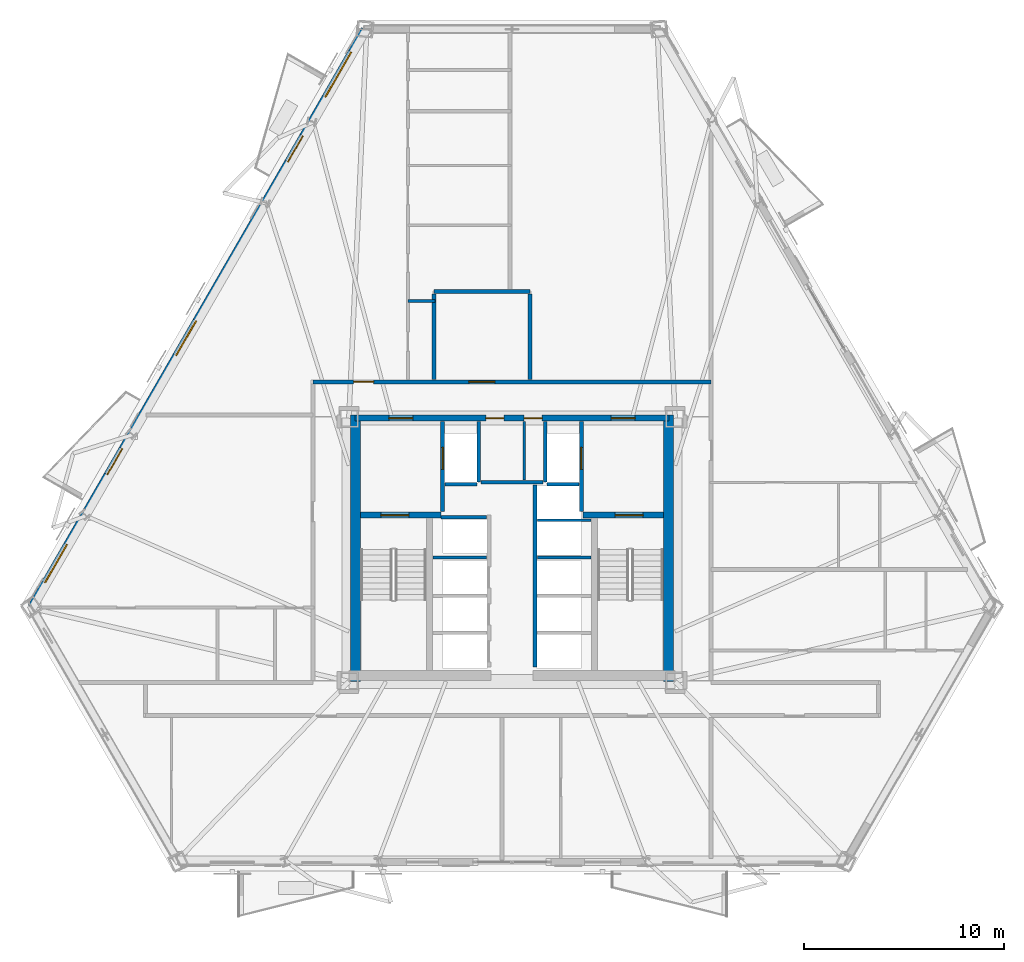
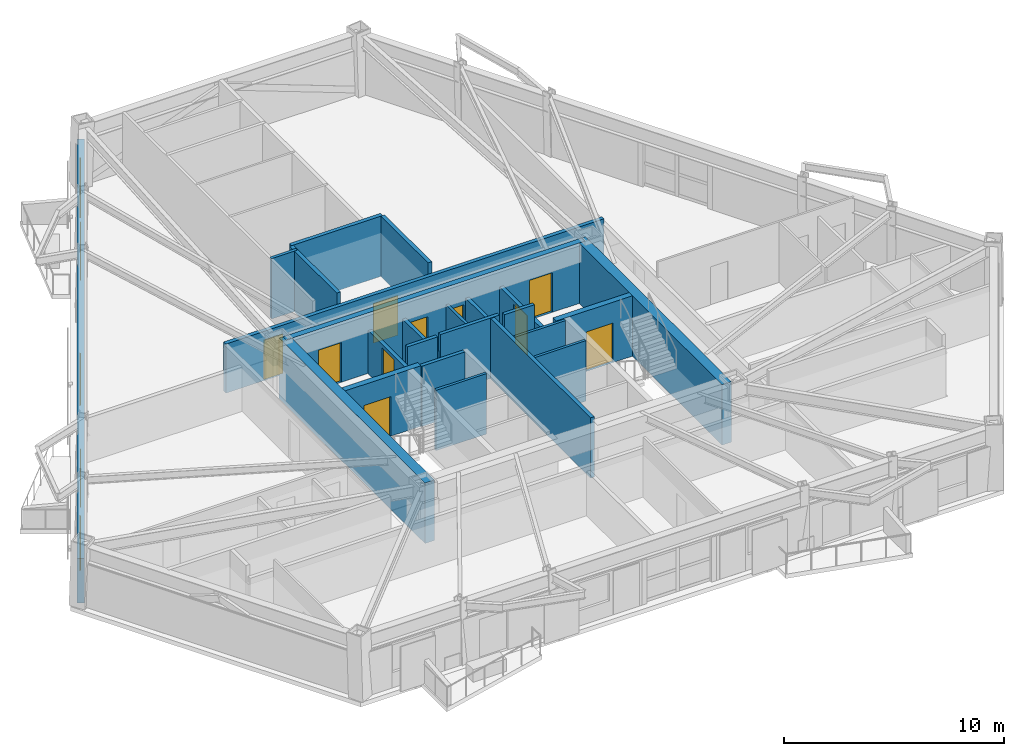
# One storey, part 7 of 15: 24 walls, 12 doors, 3 windows, 15 openings.
"""IFC4 building model written with IfcOpenShell, lengths in metres."""

from ifc_helpers import new_model, si_unit, direction, frame, frame_2d, origin, place, context, subcontext, project, spatial, rectangle, extrude, material, layer, layer_set, type_object, element, fill, save


model = new_model("IFC4")

# Units and contexts
model_context = context("Model", 3, precision=1e-05, world=origin(), true_north=direction((0.0, 1.0)))
body_context = subcontext(model_context, "Body", "Model", "MODEL_VIEW")
ifc_project = project(units=[si_unit("LENGTHUNIT", "METRE"), si_unit("AREAUNIT", "SQUARE_METRE"), si_unit("VOLUMEUNIT", "CUBIC_METRE"), si_unit("PLANEANGLEUNIT", "RADIAN"), si_unit("MASSUNIT", "GRAM", prefix="KILO")], contexts=[model_context])

# Site, building, storey
site_placement = place(None, origin())
site = spatial("IfcSite", under=ifc_project, at=site_placement, CompositionType="ELEMENT")
building_placement = place(site_placement, origin())
building = spatial("IfcBuilding", under=site, at=building_placement, Name="Oramaril Tower", CompositionType="ELEMENT")
storey_placement = place(building_placement, frame((0.0, 0.0, 48.89990234375)))
storey = spatial("IfcBuildingStorey", under=building, at=storey_placement, Name="L12", CompositionType="ELEMENT", Elevation=48.89990234375)

# Wall, openings, doors, windows
ifc_material_1 = material(Name="Warm Cream Limestone", Category="masonry")
ifc_layer_1 = layer(ifc_material_1, 0.340087890625)
ifc_layer_set_1 = layer_set([ifc_layer_1], Name="WT-EXT34")
wall_type_1 = type_object("IfcWallType", Name="WT-EXT34", PredefinedType="SOLIDWALL", material=ifc_layer_set_1)
wall_1_placement = place(storey_placement, frame((30.13330078125, 43.583984375, 0.0), z_axis=(0.0, 0.0, 1.0), x_axis=(-0.499998660293, -0.866026177264, 0.0)))
wall_1 = element("IfcWall", 1, at=wall_1_placement, inside=storey, type_object=wall_type_1, Name="L12 Tower Limestone Facade Wall 6M", PredefinedType="SOLIDWALL", context=body_context, shape_type="SweptSolid", body=[
    extrude(rectangle(XDim=33.30859375, YDim=0.340087890625, at=frame_2d((16.654296875, 0.0))), origin(), (0.0, 0.0, 1.0), 2.494140625),
])
opening_1_placement = place(wall_1_placement, frame((6.159423828125, 0.0, 0.0)))
opening_1 = element("IfcOpeningElement", 2, at=opening_1_placement, cuts=wall_1, Name="Opening D-L12-BAL-NW1", PredefinedType="OPENING", context=body_context, shape_type="SweptSolid", body=[
    extrude(rectangle(XDim=1.5, YDim=2.199951171875, at=frame_2d((0.75, 1.10009765625))), frame((0.0, 0.169921875, 0.0), z_axis=(0.0, -1.0, 0.0), x_axis=(1.0, 0.0, 0.0)), (0.0, 0.0, 1.0), 0.340087890625),
])
opening_2_placement = place(wall_1_placement, frame((24.194091796875, 0.0, 0.0)))
opening_2 = element("IfcOpeningElement", 3, at=opening_2_placement, cuts=wall_1, Name="Opening D-L12-BAL-NW2", PredefinedType="OPENING", context=body_context, shape_type="SweptSolid", body=[
    extrude(rectangle(XDim=1.5, YDim=2.199951171875, at=frame_2d((0.75, 1.10009765625))), frame((0.0, 0.169921875, 0.0), z_axis=(0.0, -1.0, 0.0), x_axis=(1.0, 0.0, 0.0)), (0.0, 0.0, 1.0), 0.340087890625),
])
opening_3_placement = place(wall_1_placement, frame((29.7265625, 0.0, 0.85009765625)))
opening_3 = element("IfcOpeningElement", 4, at=opening_3_placement, cuts=wall_1, Name="Opening WN-04", PredefinedType="OPENING", context=body_context, shape_type="SweptSolid", body=[
    extrude(rectangle(XDim=2.199951171875, YDim=1.533935546875, at=frame_2d((1.10009765625, 0.76708984375))), frame((0.0, 0.169921875, 0.0), z_axis=(0.0, -1.0, 0.0), x_axis=(1.0, 0.0, 0.0)), (0.0, 0.0, 1.0), 0.340087890625),
])
opening_4_placement = place(wall_1_placement, frame((1.321533203125, 0.0, 0.85009765625)))
opening_4 = element("IfcOpeningElement", 5, at=opening_4_placement, cuts=wall_1, Name="Opening WN-02", PredefinedType="OPENING", context=body_context, shape_type="SweptSolid", body=[
    extrude(rectangle(XDim=2.60009765625, YDim=1.533935546875, at=frame_2d((1.300048828125, 0.76708984375))), frame((0.0, 0.169921875, 0.0), z_axis=(0.0, -1.0, 0.0), x_axis=(1.0, 0.0, 0.0)), (0.0, 0.0, 1.0), 0.340087890625),
])
opening_5_placement = place(wall_1_placement, frame((16.82275390625, 0.0, 0.85009765625)))
opening_5 = element("IfcOpeningElement", 6, at=opening_5_placement, cuts=wall_1, Name="Opening WN-05", PredefinedType="OPENING", context=body_context, shape_type="SweptSolid", body=[
    extrude(rectangle(XDim=2.0, YDim=1.533935546875, at=frame_2d((1.0, 0.76708984375))), frame((0.0, 0.169921875, 0.0), z_axis=(0.0, -1.0, 0.0), x_axis=(1.0, 0.0, 0.0)), (0.0, 0.0, 1.0), 0.340087890625),
])
ifc_material_2 = material(Name="Anodised Aluminium 6063-T6", Category="aluminium")
door_type_1 = type_object("IfcDoorType", Name="DT-BAL", OperationType="NOTDEFINED", PredefinedType="DOOR", material=ifc_material_2)
door_1_placement = place(opening_1_placement, origin())
door_1 = element("IfcDoor", 7, at=door_1_placement, inside=storey, type_object=door_type_1, Name="L12 Balcony Glazed Door L12-BAL-NW1", OperationType="SINGLE_SWING_LEFT", OverallHeight=2.199951171875, OverallWidth=1.5, PredefinedType="DOOR", context=body_context, shape_type="SweptSolid", body=[
    extrude(rectangle(XDim=1.5, YDim=2.199951171875, at=frame_2d((0.75, 1.10009765625))), frame((0.0, 0.02490234375, 0.0), z_axis=(0.0, -1.0, 0.0), x_axis=(1.0, 0.0, 0.0)), (0.0, 0.0, 1.0), 0.050048828125),
])
fill(opening_1, door_1)
door_2_placement = place(opening_2_placement, origin())
door_2 = element("IfcDoor", 8, at=door_2_placement, inside=storey, type_object=door_type_1, Name="L12 Balcony Glazed Door L12-BAL-NW2", OperationType="SINGLE_SWING_RIGHT", OverallHeight=2.199951171875, OverallWidth=1.5, PredefinedType="DOOR", context=body_context, shape_type="SweptSolid", body=[
    extrude(rectangle(XDim=1.5, YDim=2.199951171875, at=frame_2d((0.75, 1.10009765625))), frame((0.0, 0.02490234375, 0.0), z_axis=(0.0, -1.0, 0.0), x_axis=(1.0, 0.0, 0.0)), (0.0, 0.0, 1.0), 0.050048828125),
])
fill(opening_2, door_2)
ifc_material_3 = material(Name="Coastal Low-E Insulated Glass", Category="glass")
window_type_1 = type_object("IfcWindowType", Name="WNT-02", PartitioningType="SINGLE_PANEL", PredefinedType="WINDOW", material=ifc_material_3)
window_1_placement = place(opening_4_placement, origin())
window_1 = element("IfcWindow", 9, at=window_1_placement, inside=storey, type_object=window_type_1, Name="L12 Chicago Bay Window WN-02", OverallHeight=1.533935546875, OverallWidth=2.60009765625, PartitioningType="SINGLE_PANEL", PredefinedType="WINDOW", context=body_context, shape_type="SweptSolid", body=[
    extrude(rectangle(XDim=2.60009765625, YDim=1.533935546875, at=frame_2d((1.300048828125, 0.76708984375))), frame((0.0, 0.030029296875, 0.0), z_axis=(0.0, -1.0, 0.0), x_axis=(1.0, 0.0, 0.0)), (0.0, 0.0, 1.0), 0.06005859375),
])
fill(opening_4, window_1)
ifc_material_4 = material(Name="Coastal Low-E Insulated Glass", Category="glass")
window_type_2 = type_object("IfcWindowType", Name="WNT-04", PartitioningType="SINGLE_PANEL", PredefinedType="WINDOW", material=ifc_material_4)
window_2_placement = place(opening_3_placement, origin())
window_2 = element("IfcWindow", 10, at=window_2_placement, inside=storey, type_object=window_type_2, Name="L12 Chicago Bay Window WN-04", OverallHeight=1.533935546875, OverallWidth=2.199951171875, PartitioningType="SINGLE_PANEL", PredefinedType="WINDOW", context=body_context, shape_type="SweptSolid", body=[
    extrude(rectangle(XDim=2.199951171875, YDim=1.533935546875, at=frame_2d((1.10009765625, 0.76708984375))), frame((0.0, 0.030029296875, 0.0), z_axis=(0.0, -1.0, 0.0), x_axis=(1.0, 0.0, 0.0)), (0.0, 0.0, 1.0), 0.06005859375),
])
fill(opening_3, window_2)
ifc_material_5 = material(Name="Coastal Low-E Insulated Glass", Category="glass")
window_type_3 = type_object("IfcWindowType", Name="WNT-05", PartitioningType="SINGLE_PANEL", PredefinedType="WINDOW", material=ifc_material_5)
window_3_placement = place(opening_5_placement, origin())
window_3 = element("IfcWindow", 11, at=window_3_placement, inside=storey, type_object=window_type_3, Name="L12 Chicago Bay Window WN-05", OverallHeight=1.533935546875, OverallWidth=2.0, PartitioningType="SINGLE_PANEL", PredefinedType="WINDOW", context=body_context, shape_type="SweptSolid", body=[
    extrude(rectangle(XDim=2.0, YDim=1.533935546875, at=frame_2d((1.0, 0.76708984375))), frame((0.0, 0.030029296875, 0.0), z_axis=(0.0, -1.0, 0.0), x_axis=(1.0, 0.0, 0.0)), (0.0, 0.0, 1.0), 0.06005859375),
])
fill(opening_5, window_3)

# Walls
ifc_material_6 = material(Name="Acoustic Gypsum Board Partition")
ifc_layer_2 = layer(ifc_material_6, 0.139892578125)
ifc_layer_set_2 = layer_set([ifc_layer_2], Name="WT-PT14")
wall_type_2 = type_object("IfcWallType", Name="WT-PT14", PredefinedType="PARTITIONING", material=ifc_layer_set_2)
for number, where, z_axis, x_axis, name in (
    (12, (33.56005859375, 17.199951171875, 0.0), (0.0, 0.0, 1.0), (1.0, 0.0, 0.0), "L12 West Lift Divider"),
    (13, (38.780029296875, 17.199951171875, 0.0), (0.0, 0.0, 1.0), (1.0, 0.0, 0.0), "L12 East Lift Divider"),
    (14, (38.780029296875, 19.050048828125, 0.0), (0.0, 0.0, 1.0), (1.0, 0.0, 0.0), "L12 East Lift Divider"),
):
    element("IfcWall", number, at=place(storey_placement, frame(where, z_axis=z_axis, x_axis=x_axis)), inside=storey, type_object=wall_type_2, Name=name, PredefinedType="PARTITIONING", context=body_context, shape_type="SweptSolid", body=[
        extrude(rectangle(XDim=2.659912109375, YDim=0.139892578125, at=frame_2d((1.330078125, 0.0))), origin(), (0.0, 0.0, 1.0), 3.360107421875),
    ])
wall_2_placement = place(storey_placement, frame((38.110107421875, 21.06005859375, 0.0), z_axis=(0.0, 0.0, 1.0), x_axis=(0.0, 1.0, 0.0)))
element("IfcWall", 15, at=wall_2_placement, inside=storey, type_object=wall_type_2, Name="L12 Core Service Divider", PredefinedType="PARTITIONING", context=body_context, shape_type="SweptSolid", body=[
    extrude(rectangle(XDim=2.919921875, YDim=0.139892578125, at=frame_2d((1.4599609375, 0.0))), origin(), (0.0, 0.0, 1.0), 2.400146484375),
])
ifc_material_7 = material(Name="Acoustic Gypsum Board Partition")
ifc_layer_3 = layer(ifc_material_7, 0.159912109375)
ifc_layer_set_3 = layer_set([ifc_layer_3], Name="WT-PT16")
wall_type_3 = type_object("IfcWallType", Name="WT-PT16", PredefinedType="PARTITIONING", material=ifc_layer_set_3)
wall_3_placement = place(storey_placement, frame((32.2998046875, 30.010009765625, 0.0), z_axis=(0.0, 0.0, 1.0), x_axis=(1.0, 0.0, 0.0)))
element("IfcWall", 16, at=wall_3_placement, inside=storey, type_object=wall_type_3, Name="L12 Interior Partition PT-16", PredefinedType="PARTITIONING", context=body_context, shape_type="SweptSolid", body=[
    extrude(rectangle(XDim=1.35009765625, YDim=0.159912109375, at=frame_2d((0.675048828125, 0.0))), origin(), (0.0, 0.0, 1.0), 3.360107421875),
])
ifc_material_8 = material(Name="Autoclaved Cellular Concrete Block", Category="concrete")
ifc_layer_4 = layer(ifc_material_8, 0.179931640625)
ifc_layer_set_4 = layer_set([ifc_layer_4], Name="WT-PT18")
wall_type_4 = type_object("IfcWallType", Name="WT-PT18", PredefinedType="PARTITIONING", material=ifc_layer_set_4)
wall_4_placement = place(storey_placement, frame((35.840087890625, 20.9599609375, 0.0), z_axis=(0.0, 0.0, 1.0), x_axis=(0.0, 1.0, 0.0)))
element("IfcWall", 17, at=wall_4_placement, inside=storey, type_object=wall_type_4, Name="L12 FL-1 East Shaft Wall", PredefinedType="PARTITIONING", context=body_context, shape_type="SweptSolid", body=[
    extrude(rectangle(XDim=3.02001953125, YDim=0.179931640625, at=frame_2d((1.510009765625, 0.0))), origin(), (0.0, 0.0, 1.0), 2.400146484375),
])
wall_5_placement = place(storey_placement, frame((34.159912109375, 20.860107421875, 0.0), z_axis=(0.0, 0.0, 1.0), x_axis=(1.0, 0.0, 0.0)))
element("IfcWall", 18, at=wall_5_placement, inside=storey, type_object=wall_type_4, Name="L12 FL-1 South Shaft Wall", PredefinedType="PARTITIONING", context=body_context, shape_type="SweptSolid", body=[
    extrude(rectangle(XDim=1.580078125, YDim=0.179931640625, at=frame_2d((0.7900390625, 0.0))), origin(), (0.0, 0.0, 1.0), 3.360107421875),
])
wall_6_placement = place(storey_placement, frame((39.159912109375, 20.9599609375, 0.0), z_axis=(0.0, 0.0, 1.0), x_axis=(0.0, 1.0, 0.0)))
element("IfcWall", 19, at=wall_6_placement, inside=storey, type_object=wall_type_4, Name="L12 FL-2 West Shaft Wall", PredefinedType="PARTITIONING", context=body_context, shape_type="SweptSolid", body=[
    extrude(rectangle(XDim=3.02001953125, YDim=0.179931640625, at=frame_2d((1.510009765625, 0.0))), origin(), (0.0, 0.0, 1.0), 2.400146484375),
])
wall_7_placement = place(storey_placement, frame((39.260009765625, 20.860107421875, 0.0), z_axis=(0.0, 0.0, 1.0), x_axis=(1.0, 0.0, 0.0)))
element("IfcWall", 20, at=wall_7_placement, inside=storey, type_object=wall_type_4, Name="L12 FL-2 South Shaft Wall", PredefinedType="PARTITIONING", context=body_context, shape_type="SweptSolid", body=[
    extrude(rectangle(XDim=1.580078125, YDim=0.179931640625, at=frame_2d((0.7900390625, 0.0))), origin(), (0.0, 0.0, 1.0), 3.360107421875),
])
wall_8_placement = place(storey_placement, frame((33.949951171875, 19.199951171875, 0.0), z_axis=(0.0, 0.0, 1.0), x_axis=(1.0, 0.0, 0.0)))
element("IfcWall", 21, at=wall_8_placement, inside=storey, type_object=wall_type_4, Name="L12 High-Rise Lift H1 North Shaft Wall", PredefinedType="PARTITIONING", context=body_context, shape_type="SweptSolid", body=[
    extrude(rectangle(XDim=2.27001953125, YDim=0.179931640625, at=frame_2d((1.135009765625, 0.0))), origin(), (0.0, 0.0, 1.0), 3.360107421875),
])
wall_9_placement = place(storey_placement, frame((35.949951171875, 20.949951171875, 0.0), z_axis=(0.0, 0.0, 1.0), x_axis=(1.0, 0.0, 0.0)))
element("IfcWall", 22, at=wall_9_placement, inside=storey, type_object=wall_type_4, Name="L12 Lift Lobby North Partition", PredefinedType="PARTITIONING", context=body_context, shape_type="SweptSolid", body=[
    extrude(rectangle(XDim=3.10009765625, YDim=0.179931640625, at=frame_2d((1.550048828125, 0.0))), origin(), (0.0, 0.0, 1.0), 3.360107421875),
])

# Wall, openings, doors
ifc_material_9 = material(Name="Autoclaved Cellular Concrete Block", Category="concrete")
ifc_layer_5 = layer(ifc_material_9, 0.199951171875)
ifc_layer_set_5 = layer_set([ifc_layer_5], Name="WT-PT20")
wall_type_5 = type_object("IfcWallType", Name="WT-PT20", PredefinedType="PARTITIONING", material=ifc_layer_set_5)
wall_10_placement = place(storey_placement, frame((27.550048828125, 25.969970703125, 0.0), z_axis=(0.0, 0.0, 1.0), x_axis=(1.0, 0.0, 0.0)))
wall_10 = element("IfcWall", 23, at=wall_10_placement, inside=storey, type_object=wall_type_5, Name="L12 Interior Partition PT-20", PredefinedType="PARTITIONING", context=body_context, shape_type="SweptSolid", body=[
    extrude(rectangle(XDim=19.89990234375, YDim=0.199951171875, at=frame_2d((9.949951171875, 0.0))), origin(), (0.0, 0.0, 1.0), 2.738037109375),
])
opening_6_placement = place(wall_10_placement, frame((2.042236328125, 0.0, 0.0)))
opening_6 = element("IfcOpeningElement", 24, at=opening_6_placement, cuts=wall_10, Name="Opening D-L12-13", PredefinedType="OPENING", context=body_context, shape_type="SweptSolid", body=[
    extrude(rectangle(XDim=1.0, YDim=2.179931640625, at=frame_2d((0.5, 1.08984375))), frame((0.0, 0.10009765625, 0.0), z_axis=(0.0, -1.0, 0.0), x_axis=(1.0, 0.0, 0.0)), (0.0, 0.0, 1.0), 0.199951171875),
])
opening_7_placement = place(wall_10_placement, frame((7.800048828125, 0.0, 0.0)))
opening_7 = element("IfcOpeningElement", 25, at=opening_7_placement, cuts=wall_10, Name="Opening D-L12-14", PredefinedType="OPENING", context=body_context, shape_type="SweptSolid", body=[
    extrude(rectangle(XDim=1.300048828125, YDim=2.199951171875, at=frame_2d((0.64990234375, 1.10009765625))), frame((0.0, 0.10009765625, 0.0), z_axis=(0.0, -1.0, 0.0), x_axis=(1.0, 0.0, 0.0)), (0.0, 0.0, 1.0), 0.199951171875),
])
ifc_material_10 = material(Name="FSC Brazilian Freijo Hardwood", Category="wood")
door_type_2 = type_object("IfcDoorType", Name="DT-APT", OperationType="NOTDEFINED", PredefinedType="DOOR", material=ifc_material_10)
door_3_placement = place(opening_6_placement, origin())
door_3 = element("IfcDoor", 26, at=door_3_placement, inside=storey, type_object=door_type_2, Name="L12 Flat L12-U6 Penthouse Living and Dining Room Door D-L12-13", OperationType="SINGLE_SWING_RIGHT", OverallHeight=2.179931640625, OverallWidth=1.0, PredefinedType="DOOR", context=body_context, shape_type="SweptSolid", body=[
    extrude(rectangle(XDim=1.0, YDim=2.179931640625, at=frame_2d((0.5, 1.08984375))), frame((0.0, 0.02490234375, 0.0), z_axis=(0.0, -1.0, 0.0), x_axis=(1.0, 0.0, 0.0)), (0.0, 0.0, 1.0), 0.050048828125),
])
fill(opening_6, door_3)
ifc_material_11 = material(Name="FSC Brazilian Freijo Hardwood", Category="wood")
door_type_3 = type_object("IfcDoorType", Name="DT-COM", OperationType="NOTDEFINED", PredefinedType="DOOR", material=ifc_material_11)
door_4_placement = place(opening_7_placement, origin())
door_4 = element("IfcDoor", 27, at=door_4_placement, inside=storey, type_object=door_type_3, Name="L12 L12 Residents Reading Library Door D-L12-14", OperationType="SINGLE_SWING_LEFT", OverallHeight=2.199951171875, OverallWidth=1.300048828125, PredefinedType="DOOR", context=body_context, shape_type="SweptSolid", body=[
    extrude(rectangle(XDim=1.300048828125, YDim=2.199951171875, at=frame_2d((0.64990234375, 1.10009765625))), frame((0.0, 0.02490234375, 0.0), z_axis=(0.0, -1.0, 0.0), x_axis=(1.0, 0.0, 0.0)), (0.0, 0.0, 1.0), 0.050048828125),
])
fill(opening_7, door_4)

# Walls
wall_11_placement = place(storey_placement, frame((33.60009765625, 30.469970703125, 0.0), z_axis=(0.0, 0.0, 1.0), x_axis=(1.0, 0.0, 0.0)))
element("IfcWall", 28, at=wall_11_placement, inside=storey, type_object=wall_type_5, Name="L12 Interior Partition PT-20", PredefinedType="PARTITIONING", context=body_context, shape_type="SweptSolid", body=[
    extrude(rectangle(XDim=4.7998046875, YDim=0.199951171875, at=frame_2d((2.39990234375, 0.0))), origin(), (0.0, 0.0, 1.0), 3.360107421875),
])
for number, where, z_axis, x_axis, name in (
    (29, (33.60009765625, 26.073974609375, 0.0), (0.0, 0.0, 1.0), (0.0, 1.0, 0.0), "L12 Interior Partition PT-20"),
    (30, (38.39990234375, 26.073974609375, 0.0), (0.0, 0.0, 1.0), (0.0, 1.0, 0.0), "L12 Interior Partition PT-20"),
):
    element("IfcWall", number, at=place(storey_placement, frame(where, z_axis=z_axis, x_axis=x_axis)), inside=storey, type_object=wall_type_5, Name=name, PredefinedType="PARTITIONING", context=body_context, shape_type="SweptSolid", body=[
        extrude(rectangle(XDim=4.2919921875, YDim=0.199951171875, at=frame_2d((2.14599609375, 0.0))), origin(), (0.0, 0.0, 1.0), 3.360107421875),
    ])

# Wall, openings, doors
ifc_material_12 = material(Name="Concrete C50/60", Category="concrete")
ifc_layer_6 = layer(ifc_material_12, 0.300048828125)
ifc_layer_set_6 = layer_set([ifc_layer_6], Name="WT-SH30")
wall_type_6 = type_object("IfcWallType", Name="WT-SH30", PredefinedType="SHEAR", material=ifc_layer_set_6)
wall_12_placement = place(storey_placement, frame((29.64990234375, 24.14990234375, 0.0), z_axis=(0.0, 0.0, 1.0), x_axis=(1.0, 0.0, 0.0)))
wall_12 = element("IfcWall", 31, at=wall_12_placement, inside=storey, type_object=wall_type_6, Name="L12 Core Shear Wall CW-N", PredefinedType="SHEAR", context=body_context, shape_type="SweptSolid", body=[
    extrude(rectangle(XDim=15.7001953125, YDim=0.300048828125, at=frame_2d((7.85009765625, 0.0))), origin(), (0.0, 0.0, 1.0), 3.360107421875),
])
opening_8_placement = place(wall_12_placement, frame((1.699951171875, 0.0, 0.0)))
opening_8 = element("IfcOpeningElement", 32, at=opening_8_placement, cuts=wall_12, Name="Opening D-L12-FFL1", PredefinedType="OPENING", context=body_context, shape_type="SweptSolid", body=[
    extrude(rectangle(XDim=1.199951171875, YDim=2.199951171875, at=frame_2d((0.60009765625, 1.10009765625))), frame((0.0, 0.14990234375, 0.0), z_axis=(0.0, -1.0, 0.0), x_axis=(1.0, 0.0, 0.0)), (0.0, 0.0, 1.0), 0.300048828125),
])
opening_9_placement = place(wall_12_placement, frame((12.800048828125, 0.0, 0.0)))
opening_9 = element("IfcOpeningElement", 33, at=opening_9_placement, cuts=wall_12, Name="Opening D-L12-FFL2", PredefinedType="OPENING", context=body_context, shape_type="SweptSolid", body=[
    extrude(rectangle(XDim=1.199951171875, YDim=2.199951171875, at=frame_2d((0.60009765625, 1.10009765625))), frame((0.0, 0.14990234375, 0.0), z_axis=(0.0, -1.0, 0.0), x_axis=(1.0, 0.0, 0.0)), (0.0, 0.0, 1.0), 0.300048828125),
])
opening_10_placement = place(wall_12_placement, frame((6.550048828125, 0.0, 0.0)))
opening_10 = element("IfcOpeningElement", 34, at=opening_10_placement, cuts=wall_12, Name="Opening D-L12-SV1", PredefinedType="OPENING", context=body_context, shape_type="SweptSolid", body=[
    extrude(rectangle(XDim=0.89990234375, YDim=2.050048828125, at=frame_2d((0.449951171875, 1.02490234375))), frame((0.0, 0.14990234375, 0.0), z_axis=(0.0, -1.0, 0.0), x_axis=(1.0, 0.0, 0.0)), (0.0, 0.0, 1.0), 0.300048828125),
])
opening_11_placement = place(wall_12_placement, frame((8.449951171875, 0.0, 0.0)))
opening_11 = element("IfcOpeningElement", 35, at=opening_11_placement, cuts=wall_12, Name="Opening D-L12-SV2", PredefinedType="OPENING", context=body_context, shape_type="SweptSolid", body=[
    extrude(rectangle(XDim=0.89990234375, YDim=2.050048828125, at=frame_2d((0.449951171875, 1.02490234375))), frame((0.0, 0.14990234375, 0.0), z_axis=(0.0, -1.0, 0.0), x_axis=(1.0, 0.0, 0.0)), (0.0, 0.0, 1.0), 0.300048828125),
])
ifc_material_13 = material(Name="Painted Galvanised Steel", Category="steel")
door_type_4 = type_object("IfcDoorType", Name="DT-FFL", OperationType="NOTDEFINED", PredefinedType="DOOR", material=ifc_material_13)
door_5_placement = place(opening_8_placement, origin())
door_5 = element("IfcDoor", 36, at=door_5_placement, inside=storey, type_object=door_type_4, Name="L12 Firefighting Lobby 1 Fire Door", OperationType="SINGLE_SWING_LEFT", OverallHeight=2.199951171875, OverallWidth=1.199951171875, PredefinedType="DOOR", context=body_context, shape_type="SweptSolid", body=[
    extrude(rectangle(XDim=1.199951171875, YDim=2.199951171875, at=frame_2d((0.60009765625, 1.10009765625))), frame((0.0, 0.02490234375, 0.0), z_axis=(0.0, -1.0, 0.0), x_axis=(1.0, 0.0, 0.0)), (0.0, 0.0, 1.0), 0.050048828125),
])
fill(opening_8, door_5)
door_6_placement = place(opening_9_placement, origin())
door_6 = element("IfcDoor", 37, at=door_6_placement, inside=storey, type_object=door_type_4, Name="L12 Firefighting Lobby 2 Fire Door", OperationType="SINGLE_SWING_RIGHT", OverallHeight=2.199951171875, OverallWidth=1.199951171875, PredefinedType="DOOR", context=body_context, shape_type="SweptSolid", body=[
    extrude(rectangle(XDim=1.199951171875, YDim=2.199951171875, at=frame_2d((0.60009765625, 1.10009765625))), frame((0.0, 0.02490234375, 0.0), z_axis=(0.0, -1.0, 0.0), x_axis=(1.0, 0.0, 0.0)), (0.0, 0.0, 1.0), 0.050048828125),
])
fill(opening_9, door_6)
ifc_material_14 = material(Name="Painted Galvanised Steel", Category="steel")
door_type_5 = type_object("IfcDoorType", Name="DT-SVC", OperationType="NOTDEFINED", PredefinedType="DOOR", material=ifc_material_14)
door_7_placement = place(opening_10_placement, origin())
door_7 = element("IfcDoor", 38, at=door_7_placement, inside=storey, type_object=door_type_5, Name="L12 Core Service Store 1 Door", OperationType="SINGLE_SWING_LEFT", OverallHeight=2.050048828125, OverallWidth=0.89990234375, PredefinedType="DOOR", context=body_context, shape_type="SweptSolid", body=[
    extrude(rectangle(XDim=0.89990234375, YDim=2.050048828125, at=frame_2d((0.449951171875, 1.02490234375))), frame((0.0, 0.02490234375, 0.0), z_axis=(0.0, -1.0, 0.0), x_axis=(1.0, 0.0, 0.0)), (0.0, 0.0, 1.0), 0.050048828125),
])
fill(opening_10, door_7)
door_8_placement = place(opening_11_placement, origin())
door_8 = element("IfcDoor", 39, at=door_8_placement, inside=storey, type_object=door_type_5, Name="L12 Core Service Store 2 Door", OperationType="SINGLE_SWING_RIGHT", OverallHeight=2.050048828125, OverallWidth=0.89990234375, PredefinedType="DOOR", context=body_context, shape_type="SweptSolid", body=[
    extrude(rectangle(XDim=0.89990234375, YDim=2.050048828125, at=frame_2d((0.449951171875, 1.02490234375))), frame((0.0, 0.02490234375, 0.0), z_axis=(0.0, -1.0, 0.0), x_axis=(1.0, 0.0, 0.0)), (0.0, 0.0, 1.0), 0.050048828125),
])
fill(opening_11, door_8)

# Wall, opening, door
wall_13_placement = place(storey_placement, frame((29.93994140625, 19.31005859375, 0.0), z_axis=(0.0, 0.0, 1.0), x_axis=(1.0, 0.0, 0.0)))
wall_13 = element("IfcWall", 40, at=wall_13_placement, inside=storey, type_object=wall_type_6, Name="L12 Core Shear Wall CW-ST1N", PredefinedType="SHEAR", context=body_context, shape_type="SweptSolid", body=[
    extrude(rectangle(XDim=4.010009765625, YDim=0.300048828125, at=frame_2d((2.0048828125, 0.0))), origin(), (0.0, 0.0, 1.0), 3.360107421875),
])
opening_12_placement = place(wall_13_placement, frame((1.010009765625, 0.0, 0.0)))
opening_12 = element("IfcOpeningElement", 41, at=opening_12_placement, cuts=wall_13, Name="Opening D-L12-ST1", PredefinedType="OPENING", context=body_context, shape_type="SweptSolid", body=[
    extrude(rectangle(XDim=1.39990234375, YDim=2.199951171875, at=frame_2d((0.699951171875, 1.10009765625))), frame((0.0, 0.14990234375, 0.0), z_axis=(0.0, -1.0, 0.0), x_axis=(1.0, 0.0, 0.0)), (0.0, 0.0, 1.0), 0.300048828125),
])
ifc_material_15 = material(Name="Painted Galvanised Steel", Category="steel")
door_type_6 = type_object("IfcDoorType", Name="DT-ST", OperationType="NOTDEFINED", PredefinedType="DOOR", material=ifc_material_15)
door_9_placement = place(opening_12_placement, origin())
door_9 = element("IfcDoor", 42, at=door_9_placement, inside=storey, type_object=door_type_6, Name="L12 Protected Stair ST-1 Fire Door", OperationType="SINGLE_SWING_LEFT", OverallHeight=2.199951171875, OverallWidth=1.39990234375, PredefinedType="DOOR", context=body_context, shape_type="SweptSolid", body=[
    extrude(rectangle(XDim=1.39990234375, YDim=2.199951171875, at=frame_2d((0.699951171875, 1.10009765625))), frame((0.0, 0.02490234375, 0.0), z_axis=(0.0, -1.0, 0.0), x_axis=(1.0, 0.0, 0.0)), (0.0, 0.0, 1.0), 0.050048828125),
])
fill(opening_12, door_9)

wall_14_placement = place(storey_placement, frame((41.050048828125, 19.31005859375, 0.0), z_axis=(0.0, 0.0, 1.0), x_axis=(1.0, 0.0, 0.0)))
wall_14 = element("IfcWall", 43, at=wall_14_placement, inside=storey, type_object=wall_type_6, Name="L12 Core Shear Wall CW-ST2N", PredefinedType="SHEAR", context=body_context, shape_type="SweptSolid", body=[
    extrude(rectangle(XDim=4.010009765625, YDim=0.300048828125, at=frame_2d((2.0048828125, 0.0))), origin(), (0.0, 0.0, 1.0), 3.360107421875),
])
opening_13_placement = place(wall_14_placement, frame((1.60009765625, 0.0, 0.0)))
opening_13 = element("IfcOpeningElement", 44, at=opening_13_placement, cuts=wall_14, Name="Opening D-L12-ST2", PredefinedType="OPENING", context=body_context, shape_type="SweptSolid", body=[
    extrude(rectangle(XDim=1.39990234375, YDim=2.199951171875, at=frame_2d((0.699951171875, 1.10009765625))), frame((0.0, 0.14990234375, 0.0), z_axis=(0.0, -1.0, 0.0), x_axis=(1.0, 0.0, 0.0)), (0.0, 0.0, 1.0), 0.300048828125),
])
door_10_placement = place(opening_13_placement, origin())
door_10 = element("IfcDoor", 45, at=door_10_placement, inside=storey, type_object=door_type_6, Name="L12 Protected Stair ST-2 Fire Door", OperationType="SINGLE_SWING_RIGHT", OverallHeight=2.199951171875, OverallWidth=1.39990234375, PredefinedType="DOOR", context=body_context, shape_type="SweptSolid", body=[
    extrude(rectangle(XDim=1.39990234375, YDim=2.199951171875, at=frame_2d((0.699951171875, 1.10009765625))), frame((0.0, 0.02490234375, 0.0), z_axis=(0.0, -1.0, 0.0), x_axis=(1.0, 0.0, 0.0)), (0.0, 0.0, 1.0), 0.050048828125),
])
fill(opening_13, door_10)

# Walls
ifc_material_16 = material(Name="Concrete C50/60", Category="concrete")
ifc_layer_7 = layer(ifc_material_16, 0.5)
ifc_layer_set_7 = layer_set([ifc_layer_7], Name="WT-SH50")
wall_type_7 = type_object("IfcWallType", Name="WT-SH50", PredefinedType="SHEAR", material=ifc_layer_set_7)
for number, where, z_axis, x_axis, name in (
    (46, (29.68994140625, 11.0, 0.0), (0.0, 0.0, 1.0), (0.0, 1.0, 0.0), "L12 Core Shear Wall CW-W"),
    (47, (45.31005859375, 11.0, 0.0), (0.0, 0.0, 1.0), (0.0, 1.0, 0.0), "L12 Core Shear Wall CW-E"),
):
    element("IfcWall", number, at=place(storey_placement, frame(where, z_axis=z_axis, x_axis=x_axis)), inside=storey, type_object=wall_type_7, Name=name, PredefinedType="SHEAR", context=body_context, shape_type="SweptSolid", body=[
        extrude(rectangle(XDim=13.300048828125, YDim=0.5, at=frame_2d((6.64990234375, 0.0))), origin(), (0.0, 0.0, 1.0), 3.360107421875),
    ])

# Wall, opening, door
ifc_material_17 = material(Name="Autoclaved Cellular Concrete Block", Category="concrete")
ifc_layer_8 = layer(ifc_material_17, 0.199951171875)
ifc_layer_set_8 = layer_set([ifc_layer_8], Name="WT-SHF20")
wall_type_8 = type_object("IfcWallType", Name="WT-SHF20", PredefinedType="PARTITIONING", material=ifc_layer_set_8)
wall_15_placement = place(storey_placement, frame((34.0400390625, 19.47998046875, 0.0), z_axis=(0.0, 0.0, 1.0), x_axis=(0.0, 1.0, 0.0)))
wall_15 = element("IfcWall", 48, at=wall_15_placement, inside=storey, type_object=wall_type_8, Name="L12 FL-1 Lobby Shaft Wall", PredefinedType="PARTITIONING", context=body_context, shape_type="SweptSolid", body=[
    extrude(rectangle(XDim=4.5, YDim=0.199951171875, at=frame_2d((2.25, 0.0))), origin(), (0.0, 0.0, 1.0), 2.400146484375),
])
opening_14_placement = place(wall_15_placement, frame((2.1201171875, 0.0, 0.0)))
opening_14 = element("IfcOpeningElement", 49, at=opening_14_placement, cuts=wall_15, Name="Opening LD-L12-FL-1", PredefinedType="OPENING", context=body_context, shape_type="SweptSolid", body=[
    extrude(rectangle(XDim=1.10009765625, YDim=2.199951171875, at=frame_2d((0.550048828125, 1.10009765625))), frame((0.0, 0.10009765625, 0.0), z_axis=(0.0, -1.0, 0.0), x_axis=(1.0, 0.0, 0.0)), (0.0, 0.0, 1.0), 0.199951171875),
])
ifc_material_18 = material(Name="Stainless Steel 316L", Category="steel")
door_type_7 = type_object("IfcDoorType", Name="DT-LD1", OperationType="NOTDEFINED", PredefinedType="DOOR", material=ifc_material_18)
door_11_placement = place(opening_14_placement, origin())
door_11 = element("IfcDoor", 50, at=door_11_placement, inside=storey, type_object=door_type_7, Name="L12 Lift FL-1 Sliding Landing Door", OperationType="SLIDING_TO_LEFT", OverallHeight=2.199951171875, OverallWidth=1.10009765625, PredefinedType="DOOR", context=body_context, shape_type="SweptSolid", body=[
    extrude(rectangle(XDim=1.10009765625, YDim=2.199951171875, at=frame_2d((0.550048828125, 1.10009765625))), frame((0.0, 0.02490234375, 0.0), z_axis=(0.0, -1.0, 0.0), x_axis=(1.0, 0.0, 0.0)), (0.0, 0.0, 1.0), 0.050048828125),
])
fill(opening_14, door_11)

wall_16_placement = place(storey_placement, frame((40.9599609375, 19.47998046875, 0.0), z_axis=(0.0, 0.0, 1.0), x_axis=(0.0, 1.0, 0.0)))
wall_16 = element("IfcWall", 51, at=wall_16_placement, inside=storey, type_object=wall_type_8, Name="L12 FL-2 Lobby Shaft Wall", PredefinedType="PARTITIONING", context=body_context, shape_type="SweptSolid", body=[
    extrude(rectangle(XDim=4.5, YDim=0.199951171875, at=frame_2d((2.25, 0.0))), origin(), (0.0, 0.0, 1.0), 2.400146484375),
])
opening_15_placement = place(wall_16_placement, frame((2.1201171875, 0.0, 0.0)))
opening_15 = element("IfcOpeningElement", 52, at=opening_15_placement, cuts=wall_16, Name="Opening LD-L12-FL-2", PredefinedType="OPENING", context=body_context, shape_type="SweptSolid", body=[
    extrude(rectangle(XDim=1.10009765625, YDim=2.199951171875, at=frame_2d((0.550048828125, 1.10009765625))), frame((0.0, 0.10009765625, 0.0), z_axis=(0.0, -1.0, 0.0), x_axis=(1.0, 0.0, 0.0)), (0.0, 0.0, 1.0), 0.199951171875),
])
door_12_placement = place(opening_15_placement, origin())
door_12 = element("IfcDoor", 53, at=door_12_placement, inside=storey, type_object=door_type_7, Name="L12 Lift FL-2 Sliding Landing Door", OperationType="SLIDING_TO_RIGHT", OverallHeight=2.199951171875, OverallWidth=1.10009765625, PredefinedType="DOOR", context=body_context, shape_type="SweptSolid", body=[
    extrude(rectangle(XDim=1.10009765625, YDim=2.199951171875, at=frame_2d((0.550048828125, 1.10009765625))), frame((0.0, 0.02490234375, 0.0), z_axis=(0.0, -1.0, 0.0), x_axis=(1.0, 0.0, 0.0)), (0.0, 0.0, 1.0), 0.050048828125),
])
fill(opening_15, door_12)

# Wall
wall_17_placement = place(storey_placement, frame((38.659912109375, 11.719970703125, 0.0), z_axis=(0.0, 0.0, 1.0), x_axis=(0.0, 1.0, 0.0)))
element("IfcWall", 54, at=wall_17_placement, inside=storey, type_object=wall_type_8, Name="L12 East Lift Bank Front Wall", PredefinedType="PARTITIONING", context=body_context, shape_type="SweptSolid", body=[
    extrude(rectangle(XDim=9.10009765625, YDim=0.199951171875, at=frame_2d((4.550048828125, 0.0))), origin(), (0.0, 0.0, 1.0), 3.360107421875),
])

save(model, "model.ifc")
